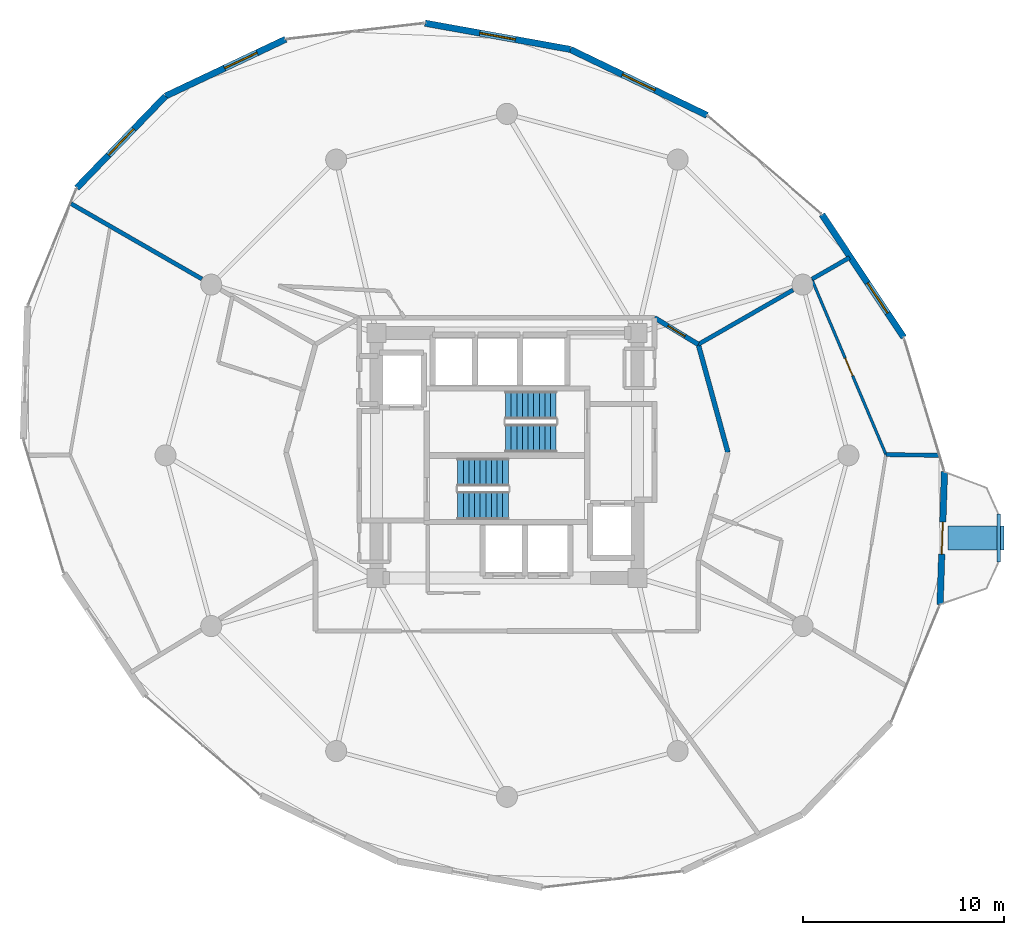
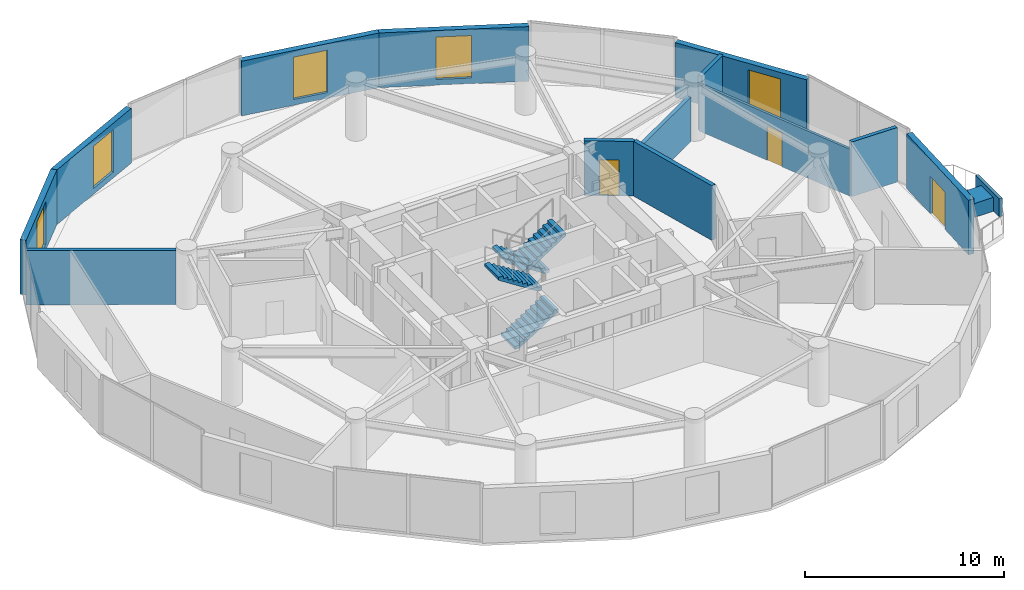
# One storey, part 23 of 26: 14 walls, 5 windows, 4 stair flights, 3 doors, 1 discrete accessory, 8 openings, 2 elements without a shape of their own.
"""IFC4 building model written with IfcOpenShell, lengths in metres."""

from ifc_helpers import new_model, si_unit, direction, frame, frame_2d, origin, origin_2d, place, context, subcontext, project, spatial, polyline, rectangle, outline, extrude, material, layer, layer_set, type_object, element, fill, aggregate, save


model = new_model("IFC4")

# Units and contexts
model_context = context("Model", 3, precision=1e-05, world=origin(), true_north=direction((0.0, 1.0)))
body_context = subcontext(model_context, "Body", "Model", "MODEL_VIEW")
ifc_project = project(units=[si_unit("LENGTHUNIT", "METRE"), si_unit("AREAUNIT", "SQUARE_METRE"), si_unit("VOLUMEUNIT", "CUBIC_METRE"), si_unit("PLANEANGLEUNIT", "RADIAN"), si_unit("MASSUNIT", "GRAM", prefix="KILO")], contexts=[model_context])

# Site, building, storey
site_placement = place(None, origin())
site = spatial("IfcSite", under=ifc_project, at=site_placement, CompositionType="ELEMENT")
building_placement = place(site_placement, origin())
building = spatial("IfcBuilding", under=site, at=building_placement, Name="Solvirekh Grand Hotel", CompositionType="ELEMENT")
storey_placement = place(building_placement, frame((0.0, 0.0, 113.39990234375)))
storey = spatial("IfcBuildingStorey", under=building, at=storey_placement, Name="L28", CompositionType="ELEMENT", Elevation=113.39990234375)

# Wall, opening, door
ifc_material_1 = material(Name="Precast concrete C45/55", Category="concrete")
ifc_layer_1 = layer(ifc_material_1, 0.320068359375)
ifc_layer_set_1 = layer_set([ifc_layer_1], Name="Precast concrete C45/55")
wall_type_1 = type_object("IfcWallType", Name="ExtLobbyWall_RC320", PredefinedType="SOLIDWALL", material=ifc_layer_set_1)
wall_1_placement = place(storey_placement, frame((21.782958984375, -0.81494140625, 0.0), z_axis=(0.0, 0.0, 1.0), x_axis=(-0.033116914102, -0.999451484566, 0.0)))
wall_1 = element("IfcWall", 1, at=wall_1_placement, inside=storey, type_object=wall_type_1, Name="L28 exterior structural wall chord 2", PredefinedType="SOLIDWALL", context=body_context, shape_type="SweptSolid", body=[
    extrude(rectangle(XDim=6.61279296875, YDim=0.320068359375, at=frame_2d((3.306396484375, 0.0))), origin(), (0.0, 0.0, 1.0), 3.35009765625),
])
opening_1_placement = place(wall_1_placement, frame((2.506103515625, 0.0, 0.0)))
opening_1 = element("IfcOpeningElement", 2, at=opening_1_placement, cuts=wall_1, Name="Opening D04", PredefinedType="OPENING", context=body_context, shape_type="SweptSolid", body=[
    extrude(rectangle(XDim=1.60009765625, YDim=2.300048828125, at=frame_2d((0.800048828125, 1.14990234375))), frame((0.0, 0.169921875, 0.0), z_axis=(0.0, -1.0, 0.0), x_axis=(1.0, 0.0, 0.0)), (0.0, 0.0, 1.0), 0.340087890625),
])
ifc_material_2 = material(Name="Anodized Bronze Aluminium 6063-T6", Category="aluminium")
door_type_1 = type_object("IfcDoorType", Name="Door_ExtTerrace_1600X2300", OperationType="NOTDEFINED", PredefinedType="DOOR", material=ifc_material_2)
door_1_placement = place(opening_1_placement, origin())
door_1 = element("IfcDoor", 3, at=door_1_placement, inside=storey, type_object=door_type_1, Name="L28 East horn sky-garden terrace door (2)", OperationType="SINGLE_SWING_LEFT", OverallHeight=2.300048828125, OverallWidth=1.60009765625, PredefinedType="DOOR", context=body_context, shape_type="SweptSolid", body=[
    extrude(rectangle(XDim=1.60009765625, YDim=2.300048828125, at=frame_2d((0.800048828125, 1.14990234375))), frame((0.0, 0.02490234375, 0.0), z_axis=(0.0, -1.0, 0.0), x_axis=(1.0, 0.0, 0.0)), (0.0, 0.0, 1.0), 0.050048828125),
])
fill(opening_1, door_1)

# Wall, opening, window
wall_2_placement = place(storey_placement, frame((15.68310546875, 11.988037109375, 0.0), z_axis=(0.0, 0.0, 1.0), x_axis=(0.554416410256, -0.832239415096, 0.0)))
wall_2 = element("IfcWall", 4, at=wall_2_placement, inside=storey, type_object=wall_type_1, Name="L28 exterior structural wall chord 4", PredefinedType="SOLIDWALL", context=body_context, shape_type="SweptSolid", body=[
    extrude(rectangle(XDim=7.346435546875, YDim=0.320068359375, at=frame_2d((3.67333984375, 0.0))), origin(), (0.0, 0.0, 1.0), 3.35009765625),
])
opening_2_placement = place(wall_2_placement, frame((4.094970703125, 0.0, 0.35009765625)))
opening_2 = element("IfcOpeningElement", 5, at=opening_2_placement, cuts=wall_2, Name="Opening W02", PredefinedType="OPENING", context=body_context, shape_type="SweptSolid", body=[
    extrude(rectangle(XDim=1.800048828125, YDim=2.60009765625, at=frame_2d((0.89990234375, 1.300048828125))), frame((0.0, 0.169921875, 0.0), z_axis=(0.0, -1.0, 0.0), x_axis=(1.0, 0.0, 0.0)), (0.0, 0.0, 1.0), 0.340087890625),
])
ifc_material_3 = material(Name="Low-E Tinted Bronze Laminated Glass", Category="aluminium")
window_type = type_object("IfcWindowType", Name="Win_LobbyExt_1800X2600", PartitioningType="SINGLE_PANEL", PredefinedType="WINDOW", material=ifc_material_3)
window_1_placement = place(opening_2_placement, origin())
window_1 = element("IfcWindow", 6, at=window_1_placement, inside=storey, type_object=window_type, Name="L28 panoramic bronze-framed window 4", OverallHeight=2.60009765625, OverallWidth=1.800048828125, PartitioningType="SINGLE_PANEL", PredefinedType="WINDOW", context=body_context, shape_type="SweptSolid", body=[
    extrude(rectangle(XDim=1.800048828125, YDim=2.60009765625, at=frame_2d((0.89990234375, 1.300048828125))), frame((0.0, 0.030029296875, 0.0), z_axis=(0.0, -1.0, 0.0), x_axis=(1.0, 0.0, 0.0)), (0.0, 0.0, 1.0), 0.06005859375),
])
fill(opening_2, window_1)

wall_3_placement = place(storey_placement, frame((3.153076171875, 20.2119140625, 0.0), z_axis=(0.0, 0.0, 1.0), x_axis=(0.900762138078, -0.434312756669, 0.0)))
wall_3 = element("IfcWall", 7, at=wall_3_placement, inside=storey, type_object=wall_type_1, Name="L28 exterior structural wall chord 6", PredefinedType="SOLIDWALL", context=body_context, shape_type="SweptSolid", body=[
    extrude(rectangle(XDim=7.55908203125, YDim=0.320068359375, at=frame_2d((3.779541015625, 0.0))), origin(), (0.0, 0.0, 1.0), 3.35009765625),
])
opening_3_placement = place(wall_3_placement, frame((2.8798828125, 0.0, 0.35009765625)))
opening_3 = element("IfcOpeningElement", 8, at=opening_3_placement, cuts=wall_3, Name="Opening W02", PredefinedType="OPENING", context=body_context, shape_type="SweptSolid", body=[
    extrude(rectangle(XDim=1.800048828125, YDim=2.60009765625, at=frame_2d((0.89990234375, 1.300048828125))), frame((0.0, 0.169921875, 0.0), z_axis=(0.0, -1.0, 0.0), x_axis=(1.0, 0.0, 0.0)), (0.0, 0.0, 1.0), 0.340087890625),
])
window_2_placement = place(opening_3_placement, origin())
window_2 = element("IfcWindow", 9, at=window_2_placement, inside=storey, type_object=window_type, Name="L28 panoramic bronze-framed window 6", OverallHeight=2.60009765625, OverallWidth=1.800048828125, PartitioningType="SINGLE_PANEL", PredefinedType="WINDOW", context=body_context, shape_type="SweptSolid", body=[
    extrude(rectangle(XDim=1.800048828125, YDim=2.60009765625, at=frame_2d((0.89990234375, 1.300048828125))), frame((0.0, 0.030029296875, 0.0), z_axis=(0.0, -1.0, 0.0), x_axis=(1.0, 0.0, 0.0)), (0.0, 0.0, 1.0), 0.06005859375),
])
fill(opening_3, window_2)

wall_4_placement = place(storey_placement, frame((-4.076904296875, 21.51708984375, 0.0), z_axis=(0.0, 0.0, 1.0), x_axis=(0.984093509757, -0.177651242762, 0.0)))
wall_4 = element("IfcWall", 10, at=wall_4_placement, inside=storey, type_object=wall_type_1, Name="L28 exterior structural wall chord 7", PredefinedType="SOLIDWALL", context=body_context, shape_type="SweptSolid", body=[
    extrude(rectangle(XDim=7.346923828125, YDim=0.320068359375, at=frame_2d((3.67333984375, 0.0))), origin(), (0.0, 0.0, 1.0), 3.35009765625),
])
opening_4_placement = place(wall_4_placement, frame((2.77294921875, 0.0, 0.35009765625)))
opening_4 = element("IfcOpeningElement", 11, at=opening_4_placement, cuts=wall_4, Name="Opening W02", PredefinedType="OPENING", context=body_context, shape_type="SweptSolid", body=[
    extrude(rectangle(XDim=1.800048828125, YDim=2.60009765625, at=frame_2d((0.89990234375, 1.300048828125))), frame((0.0, 0.169921875, 0.0), z_axis=(0.0, -1.0, 0.0), x_axis=(1.0, 0.0, 0.0)), (0.0, 0.0, 1.0), 0.340087890625),
])
window_3_placement = place(opening_4_placement, origin())
window_3 = element("IfcWindow", 12, at=window_3_placement, inside=storey, type_object=window_type, Name="L28 panoramic bronze-framed window 7", OverallHeight=2.60009765625, OverallWidth=1.800048828125, PartitioningType="SINGLE_PANEL", PredefinedType="WINDOW", context=body_context, shape_type="SweptSolid", body=[
    extrude(rectangle(XDim=1.800048828125, YDim=2.60009765625, at=frame_2d((0.89990234375, 1.300048828125))), frame((0.0, 0.030029296875, 0.0), z_axis=(0.0, -1.0, 0.0), x_axis=(1.0, 0.0, 0.0)), (0.0, 0.0, 1.0), 0.06005859375),
])
fill(opening_4, window_3)

wall_5_placement = place(storey_placement, frame((-16.9970703125, 17.886962890625, 0.0), z_axis=(0.0, 0.0, 1.0), x_axis=(0.903862591662, 0.42782287853, 0.0)))
wall_5 = element("IfcWall", 13, at=wall_5_placement, inside=storey, type_object=wall_type_1, Name="L28 exterior structural wall chord 9", PredefinedType="SOLIDWALL", context=body_context, shape_type="SweptSolid", body=[
    extrude(rectangle(XDim=6.61279296875, YDim=0.320068359375, at=frame_2d((3.306396484375, 0.0))), origin(), (0.0, 0.0, 1.0), 3.35009765625),
])
opening_5_placement = place(wall_5_placement, frame((3.2490234375, 0.0, 0.35009765625)))
opening_5 = element("IfcOpeningElement", 14, at=opening_5_placement, cuts=wall_5, Name="Opening W02", PredefinedType="OPENING", context=body_context, shape_type="SweptSolid", body=[
    extrude(rectangle(XDim=1.800048828125, YDim=2.60009765625, at=frame_2d((0.89990234375, 1.300048828125))), frame((0.0, 0.169921875, 0.0), z_axis=(0.0, -1.0, 0.0), x_axis=(1.0, 0.0, 0.0)), (0.0, 0.0, 1.0), 0.340087890625),
])
window_4_placement = place(opening_5_placement, origin())
window_4 = element("IfcWindow", 15, at=window_4_placement, inside=storey, type_object=window_type, Name="L28 panoramic bronze-framed window 9", OverallHeight=2.60009765625, OverallWidth=1.800048828125, PartitioningType="SINGLE_PANEL", PredefinedType="WINDOW", context=body_context, shape_type="SweptSolid", body=[
    extrude(rectangle(XDim=1.800048828125, YDim=2.60009765625, at=frame_2d((0.89990234375, 1.300048828125))), frame((0.0, 0.030029296875, 0.0), z_axis=(0.0, -1.0, 0.0), x_axis=(1.0, 0.0, 0.0)), (0.0, 0.0, 1.0), 0.06005859375),
])
fill(opening_5, window_4)

wall_6_placement = place(storey_placement, frame((-21.423095703125, 13.306884765625, 0.0), z_axis=(0.0, 0.0, 1.0), x_axis=(0.694909802273, 0.71909691051, 0.0)))
wall_6 = element("IfcWall", 16, at=wall_6_placement, inside=storey, type_object=wall_type_1, Name="L28 exterior structural wall chord 10", PredefinedType="SOLIDWALL", context=body_context, shape_type="SweptSolid", body=[
    extrude(rectangle(XDim=6.369140625, YDim=0.320068359375, at=frame_2d((3.1845703125, 0.0))), origin(), (0.0, 0.0, 1.0), 3.35009765625),
])
opening_6_placement = place(wall_6_placement, frame((2.284912109375, 0.0, 0.35009765625)))
opening_6 = element("IfcOpeningElement", 17, at=opening_6_placement, cuts=wall_6, Name="Opening W02", PredefinedType="OPENING", context=body_context, shape_type="SweptSolid", body=[
    extrude(rectangle(XDim=1.800048828125, YDim=2.60009765625, at=frame_2d((0.89990234375, 1.300048828125))), frame((0.0, 0.169921875, 0.0), z_axis=(0.0, -1.0, 0.0), x_axis=(1.0, 0.0, 0.0)), (0.0, 0.0, 1.0), 0.340087890625),
])
window_5_placement = place(opening_6_placement, origin())
window_5 = element("IfcWindow", 18, at=window_5_placement, inside=storey, type_object=window_type, Name="L28 panoramic bronze-framed window 10", OverallHeight=2.60009765625, OverallWidth=1.800048828125, PartitioningType="SINGLE_PANEL", PredefinedType="WINDOW", context=body_context, shape_type="SweptSolid", body=[
    extrude(rectangle(XDim=1.800048828125, YDim=2.60009765625, at=frame_2d((0.89990234375, 1.300048828125))), frame((0.0, 0.030029296875, 0.0), z_axis=(0.0, -1.0, 0.0), x_axis=(1.0, 0.0, 0.0)), (0.0, 0.0, 1.0), 0.06005859375),
])
fill(opening_6, window_5)

# Wall
ifc_layer_2 = layer(ifc_material_1, 0.179931640625)
ifc_layer_set_2 = layer_set([ifc_layer_2], Name="Precast concrete C45/55")
wall_type_2 = type_object("IfcWallType", Name="ExtPlanterWall_180", PredefinedType="PARAPET", material=ifc_layer_set_2)
wall_7_placement = place(storey_placement, frame((24.48291015625, -5.30908203125, 0.0), z_axis=(0.0, 0.0, 1.0), x_axis=(0.0, 1.0, 0.0)))
element("IfcWall", 19, at=wall_7_placement, inside=storey, type_object=wall_type_2, Name="L28 horn sky-garden planter parapet", PredefinedType="PARAPET", context=body_context, shape_type="SweptSolid", body=[
    extrude(rectangle(XDim=2.379150390625, YDim=0.179931640625, at=frame_2d((1.189453125, 0.0))), origin(), (0.0, 0.0, 1.0), 1.1201171875),
])

# Wall, opening, door
ifc_material_4 = material(Name="Acoustic Gypsum Partition Assembly")
ifc_layer_3 = layer(ifc_material_4, 0.239990234375)
ifc_layer_set_3 = layer_set([ifc_layer_3], Name="Acoustic Gypsum Partition Assembly")
wall_type_3 = type_object("IfcWallType", Name="Part_Corridor_240", PredefinedType="PARTITIONING", material=ifc_layer_set_3)
wall_8_placement = place(storey_placement, frame((7.35009765625, 6.85009765625, 0.0), z_axis=(0.0, 0.0, 1.0), x_axis=(0.854057882133, -0.520177982969, 0.0)))
wall_8 = element("IfcWall", 20, at=wall_8_placement, inside=storey, type_object=wall_type_3, Name="L28 Panorama Suite 3001 entrance wall", PredefinedType="PARTITIONING", context=body_context, shape_type="SweptSolid", body=[
    extrude(rectangle(XDim=2.547607421875, YDim=0.239990234375, at=frame_2d((1.27392578125, 0.0))), origin(), (0.0, 0.0, 1.0), 3.35009765625),
])
opening_7_placement = place(wall_8_placement, frame((0.77392578125, 0.0, 0.0)))
opening_7 = element("IfcOpeningElement", 21, at=opening_7_placement, cuts=wall_8, Name="Opening D07", PredefinedType="OPENING", context=body_context, shape_type="SweptSolid", body=[
    extrude(rectangle(XDim=1.0, YDim=2.199951171875, at=frame_2d((0.5, 1.10009765625))), frame((0.0, 0.1298828125, 0.0), z_axis=(0.0, -1.0, 0.0), x_axis=(1.0, 0.0, 0.0)), (0.0, 0.0, 1.0), 0.260009765625),
])
ifc_material_5 = material(Name="Fire-Rated Steel Door Assembly", Category="steel")
door_type_2 = type_object("IfcDoorType", Name="Door_GuestEntry_1000X2200", OperationType="NOTDEFINED", PredefinedType="DOOR", material=ifc_material_5)
door_2_placement = place(opening_7_placement, origin())
door_2 = element("IfcDoor", 22, at=door_2_placement, inside=storey, type_object=door_type_2, Name="L28 Panorama Suite 3001 entrance door", OperationType="SINGLE_SWING_LEFT", OverallHeight=2.199951171875, OverallWidth=1.0, PredefinedType="DOOR", context=body_context, shape_type="SweptSolid", body=[
    extrude(rectangle(XDim=1.0, YDim=2.199951171875, at=frame_2d((0.5, 1.10009765625))), frame((0.0, 0.02490234375, 0.0), z_axis=(0.0, -1.0, 0.0), x_axis=(1.0, 0.0, 0.0)), (0.0, 0.0, 1.0), 0.050048828125),
])
fill(opening_7, door_2)

# Wall
wall_9_placement = place(storey_placement, frame((11.0, 0.14990234375, 0.0), z_axis=(0.0, 0.0, 1.0), x_axis=(-0.264488542062, 0.964388827765, 0.0)))
element("IfcWall", 23, at=wall_9_placement, inside=storey, type_object=wall_type_3, Name="L28 Executive Suite 3003 Living Room corridor wall 1", PredefinedType="PARTITIONING", context=body_context, shape_type="SweptSolid", body=[
    extrude(rectangle(XDim=5.573486328125, YDim=0.239990234375, at=frame_2d((2.78662109375, 0.0))), origin(), (0.0, 0.0, 1.0), 3.35009765625),
])

# Wall, opening, door
ifc_layer_4 = layer(ifc_material_4, 0.135009765625)
ifc_layer_set_4 = layer_set([ifc_layer_4], Name="Acoustic Gypsum Partition Assembly")
wall_type_4 = type_object("IfcWallType", Name="Part_RoomInt_135", PredefinedType="PARTITIONING", material=ifc_layer_set_4)
wall_10_placement = place(storey_placement, frame((18.8720703125, 0.0380859375, 0.0), z_axis=(0.0, 0.0, 1.0), x_axis=(-0.38987185075, 0.920869122076, 0.0)))
wall_10 = element("IfcWall", 24, at=wall_10_placement, inside=storey, type_object=wall_type_4, Name="L28 Executive Suite 3003 Panorama Suite Study bedroom screen wall", PredefinedType="PARTITIONING", context=body_context, shape_type="SweptSolid", body=[
    extrude(rectangle(XDim=9.480224609375, YDim=0.135009765625, at=frame_2d((4.740234375, 0.0))), origin(), (0.0, 0.0, 1.0), 2.879150390625),
])
opening_8_placement = place(wall_10_placement, frame((4.264892578125, 0.0, 0.0)))
opening_8 = element("IfcOpeningElement", 25, at=opening_8_placement, cuts=wall_10, Name="Opening D10", PredefinedType="OPENING", context=body_context, shape_type="SweptSolid", body=[
    extrude(rectangle(XDim=0.949951171875, YDim=2.10009765625, at=frame_2d((0.47509765625, 1.050048828125))), frame((0.0, 0.07763671875, 0.0), z_axis=(0.0, -1.0, 0.0), x_axis=(1.0, 0.0, 0.0)), (0.0, 0.0, 1.0), 0.155029296875),
])
door_type_3 = type_object("IfcDoorType", Name="Door_RoomInt_950X2100", OperationType="NOTDEFINED", PredefinedType="DOOR", material=ifc_material_2)
door_3_placement = place(opening_8_placement, origin())
door_3 = element("IfcDoor", 26, at=door_3_placement, inside=storey, type_object=door_type_3, Name="L28 Executive Suite 3003 Panorama Suite Study master bedroom door", OperationType="SINGLE_SWING_LEFT", OverallHeight=2.10009765625, OverallWidth=0.949951171875, PredefinedType="DOOR", context=body_context, shape_type="SweptSolid", body=[
    extrude(rectangle(XDim=0.949951171875, YDim=2.10009765625, at=frame_2d((0.47509765625, 1.050048828125))), frame((0.0, 0.02490234375, 0.0), z_axis=(0.0, -1.0, 0.0), x_axis=(1.0, 0.0, 0.0)), (0.0, 0.0, 1.0), 0.050048828125),
])
fill(opening_8, door_3)

# Walls
ifc_layer_5 = layer(ifc_material_4, 0.2099609375)
ifc_layer_set_5 = layer_set([ifc_layer_5], Name="Acoustic Gypsum Partition Assembly")
wall_type_5 = type_object("IfcWallType", Name="Part_SuiteDemise_210", PredefinedType="PARTITIONING", material=ifc_layer_set_5)
wall_11_placement = place(storey_placement, frame((9.52587890625, 5.52490234375, 0.0), z_axis=(0.0, 0.0, 1.0), x_axis=(0.867314067813, 0.497761295979, 0.0)))
element("IfcWall", 27, at=wall_11_placement, inside=storey, type_object=wall_type_5, Name="L28 suite radial wall 2 (A)", PredefinedType="PARTITIONING", context=body_context, shape_type="SweptSolid", body=[
    extrude(rectangle(XDim=5.4423828125, YDim=0.2099609375, at=frame_2d((2.72119140625, 0.0))), origin(), (0.0, 0.0, 1.0), 2.718017578125),
])
wall_12_placement = place(storey_placement, frame((15.19189453125, 8.777099609375, 0.0), z_axis=(0.0, 0.0, 1.0), x_axis=(0.867341902332, 0.497712793144, 0.0)))
element("IfcWall", 28, at=wall_12_placement, inside=storey, type_object=wall_type_5, Name="L28 suite radial wall 2 (B)", PredefinedType="PARTITIONING", context=body_context, shape_type="SweptSolid", body=[
    extrude(rectangle(XDim=2.15380859375, YDim=0.2099609375, at=frame_2d((1.076904296875, 0.0))), origin(), (0.0, 0.0, 1.0), 3.35009765625),
])
wall_13_placement = place(storey_placement, frame((-15.18798828125, 8.781982421875, 0.0), z_axis=(0.0, 0.0, 1.0), x_axis=(-0.866759918317, 0.498725619954, 0.0)))
element("IfcWall", 29, at=wall_13_placement, inside=storey, type_object=wall_type_5, Name="L28 suite radial wall 6 (B)", PredefinedType="PARTITIONING", context=body_context, shape_type="SweptSolid", body=[
    extrude(rectangle(XDim=7.51513671875, YDim=0.2099609375, at=frame_2d((3.757568359375, 0.0))), origin(), (0.0, 0.0, 1.0), 3.35009765625),
])
wall_14_placement = place(storey_placement, frame((18.8720703125, 0.0380859375, 0.0), z_axis=(0.0, 0.0, 1.0), x_axis=(0.999894683777, -0.014512799653, 0.0)))
element("IfcWall", 30, at=wall_14_placement, inside=storey, type_object=wall_type_5, Name="L28 Executive Suite 3003 Living Room dividing partition 1", PredefinedType="PARTITIONING", context=body_context, shape_type="SweptSolid", body=[
    extrude(rectangle(XDim=2.624267578125, YDim=0.2099609375, at=frame_2d((1.31201171875, 0.0))), origin(), (0.0, 0.0, 1.0), 3.35009765625),
])

# Stair, stair flights
ifc_material_6 = material(Name="Concrete C40/50", Category="concrete")
stair_type = type_object("IfcStairType", Name="Stair_Core_1450", PredefinedType="HALF_TURN_STAIR", material=ifc_material_6)
stair_1_placement = place(storey_placement, origin())
stair_1 = element("IfcStair", 31, at=stair_1_placement, inside=storey, type_object=stair_type, Name="L28 Enclosed exit stair ST-1", PredefinedType="HALF_TURN_STAIR")
stair_flight_type = type_object("IfcStairFlightType", Name="Flight_Core_1450", PredefinedType="STRAIGHT", material=ifc_material_6)
stair_flight_1_placement = place(storey_placement, frame((-2.449951171875, -2.5, 0.0), z_axis=(0.0, 0.0, 1.0), x_axis=(1.0, 0.0, 0.0)))
stair_flight_1 = element("IfcStairFlight", 32, at=stair_flight_1_placement, type_object=stair_flight_type, Name="ST-1 flight 1", NumberOfRisers=10, NumberOfTreads=9, PredefinedType="STRAIGHT", RiserHeight=0.18, TreadLength=0.28, context=body_context, shape_type="SweptSolid", body=[
    extrude(outline(polyline([(0.0, 0.0), (0.0, 0.179931640625), (0.280029296875, 0.179931640625), (0.280029296875, 0.360107421875), (0.56005859375, 0.360107421875), (0.56005859375, 0.5400390625), (0.840087890625, 0.5400390625), (0.840087890625, 0.719970703125), (1.1201171875, 0.719970703125), (1.1201171875, 0.89990234375), (1.39990234375, 0.89990234375), (1.39990234375, 1.080078125), (1.679931640625, 1.080078125), (1.679931640625, 1.260009765625), (1.9599609375, 1.260009765625), (1.9599609375, 1.43994140625), (2.239990234375, 1.43994140625), (2.239990234375, 1.6201171875), (2.52001953125, 1.6201171875), (2.52001953125, 1.800048828125), (2.52001953125, 1.44189453125), (0.277099609375, 0.0), (0.0, 0.0)])), frame((0.0, 0.699951171875, 0.0), z_axis=(0.0, -1.0, 0.0), x_axis=(1.0, 0.0, 0.0)), (0.0, 0.0, 1.0), 1.39990234375),
])
stair_flight_2_placement = place(storey_placement, frame((0.070068359375, -0.85009765625, 1.800048828125), z_axis=(0.0, 0.0, 1.0), x_axis=(-1.0, 0.0, 0.0)))
stair_flight_2 = element("IfcStairFlight", 33, at=stair_flight_2_placement, type_object=stair_flight_type, Name="ST-1 flight 2", NumberOfRisers=10, NumberOfTreads=9, PredefinedType="STRAIGHT", RiserHeight=0.18, TreadLength=0.28, context=body_context, shape_type="SweptSolid", body=[
    extrude(outline(polyline([(0.0, 0.0), (0.0, 0.179931640625), (0.280029296875, 0.179931640625), (0.280029296875, 0.360107421875), (0.56005859375, 0.360107421875), (0.56005859375, 0.5400390625), (0.840087890625, 0.5400390625), (0.840087890625, 0.719970703125), (1.1201171875, 0.719970703125), (1.1201171875, 0.89990234375), (1.39990234375, 0.89990234375), (1.39990234375, 1.080078125), (1.679931640625, 1.080078125), (1.679931640625, 1.260009765625), (1.9599609375, 1.260009765625), (1.9599609375, 1.43994140625), (2.239990234375, 1.43994140625), (2.239990234375, 1.6201171875), (2.52001953125, 1.6201171875), (2.52001953125, 1.800048828125), (2.52001953125, 1.44189453125), (0.277099609375, 0.0), (0.0, 0.0)])), frame((0.0, 0.699951171875, 0.0), z_axis=(0.0, -1.0, 0.0), x_axis=(1.0, 0.0, 0.0)), (0.0, 0.0, 1.0), 1.39990234375),
])
aggregate(stair_1, [stair_flight_1, stair_flight_2])

stair_2_placement = place(storey_placement, origin())
stair_2 = element("IfcStair", 34, at=stair_2_placement, inside=storey, type_object=stair_type, Name="L28 Enclosed exit stair ST-2", PredefinedType="HALF_TURN_STAIR")
stair_flight_3_placement = place(storey_placement, frame((2.449951171875, 2.5, 0.0), z_axis=(0.0, 0.0, 1.0), x_axis=(-1.0, 0.0, 0.0)))
stair_flight_3 = element("IfcStairFlight", 35, at=stair_flight_3_placement, type_object=stair_flight_type, Name="ST-2 flight 1", NumberOfRisers=10, NumberOfTreads=9, PredefinedType="STRAIGHT", RiserHeight=0.18, TreadLength=0.28, context=body_context, shape_type="SweptSolid", body=[
    extrude(outline(polyline([(0.0, 0.0), (0.0, 0.179931640625), (0.280029296875, 0.179931640625), (0.280029296875, 0.360107421875), (0.56005859375, 0.360107421875), (0.56005859375, 0.5400390625), (0.840087890625, 0.5400390625), (0.840087890625, 0.719970703125), (1.1201171875, 0.719970703125), (1.1201171875, 0.89990234375), (1.39990234375, 0.89990234375), (1.39990234375, 1.080078125), (1.679931640625, 1.080078125), (1.679931640625, 1.260009765625), (1.9599609375, 1.260009765625), (1.9599609375, 1.43994140625), (2.239990234375, 1.43994140625), (2.239990234375, 1.6201171875), (2.52001953125, 1.6201171875), (2.52001953125, 1.800048828125), (2.52001953125, 1.44189453125), (0.277099609375, 0.0), (0.0, 0.0)])), frame((0.0, 0.699951171875, 0.0), z_axis=(0.0, -1.0, 0.0), x_axis=(1.0, 0.0, 0.0)), (0.0, 0.0, 1.0), 1.39990234375),
])
stair_flight_4_placement = place(storey_placement, frame((-0.070068359375, 0.85009765625, 1.800048828125), z_axis=(0.0, 0.0, 1.0), x_axis=(1.0, 0.0, 0.0)))
stair_flight_4 = element("IfcStairFlight", 36, at=stair_flight_4_placement, type_object=stair_flight_type, Name="ST-2 flight 2", NumberOfRisers=10, NumberOfTreads=9, PredefinedType="STRAIGHT", RiserHeight=0.18, TreadLength=0.28, context=body_context, shape_type="SweptSolid", body=[
    extrude(outline(polyline([(0.0, 0.0), (0.0, 0.179931640625), (0.280029296875, 0.179931640625), (0.280029296875, 0.360107421875), (0.56005859375, 0.360107421875), (0.56005859375, 0.5400390625), (0.840087890625, 0.5400390625), (0.840087890625, 0.719970703125), (1.1201171875, 0.719970703125), (1.1201171875, 0.89990234375), (1.39990234375, 0.89990234375), (1.39990234375, 1.080078125), (1.679931640625, 1.080078125), (1.679931640625, 1.260009765625), (1.9599609375, 1.260009765625), (1.9599609375, 1.43994140625), (2.239990234375, 1.43994140625), (2.239990234375, 1.6201171875), (2.52001953125, 1.6201171875), (2.52001953125, 1.800048828125), (2.52001953125, 1.44189453125), (0.277099609375, 0.0), (0.0, 0.0)])), frame((0.0, 0.699951171875, 0.0), z_axis=(0.0, -1.0, 0.0), x_axis=(1.0, 0.0, 0.0)), (0.0, 0.0, 1.0), 1.39990234375),
])
aggregate(stair_2, [stair_flight_3, stair_flight_4])

# Discrete accessory
discrete_accessory_type = type_object("IfcDiscreteAccessoryType", Name="Acc_PlanterBox", PredefinedType="USERDEFINED", material=ifc_material_1)
discrete_accessory_placement = place(storey_placement, frame((23.346923828125, -4.1201171875, 0.0), z_axis=(0.0, 0.0, 1.0), x_axis=(0.0, 1.0, 0.0)))
element("IfcDiscreteAccessory", 37, at=discrete_accessory_placement, inside=storey, type_object=discrete_accessory_type, Name="L28 horn sky-garden tree planter", ObjectType="PLANTER", PredefinedType="USERDEFINED", context=body_context, shape_type="SweptSolid", body=[
    extrude(rectangle(XDim=1.199951171875, YDim=2.800048828125, at=origin_2d()), origin(), (0.0, 0.0, 1.0), 0.85009765625),
])

save(model, "model.ifc")
